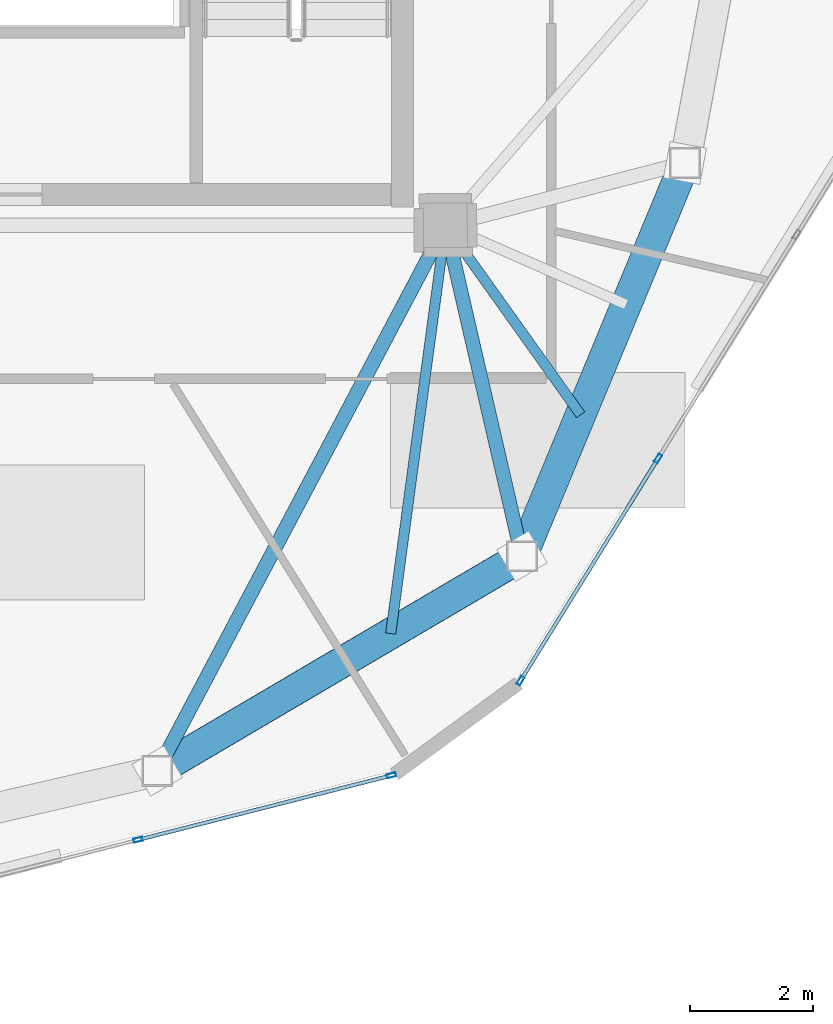
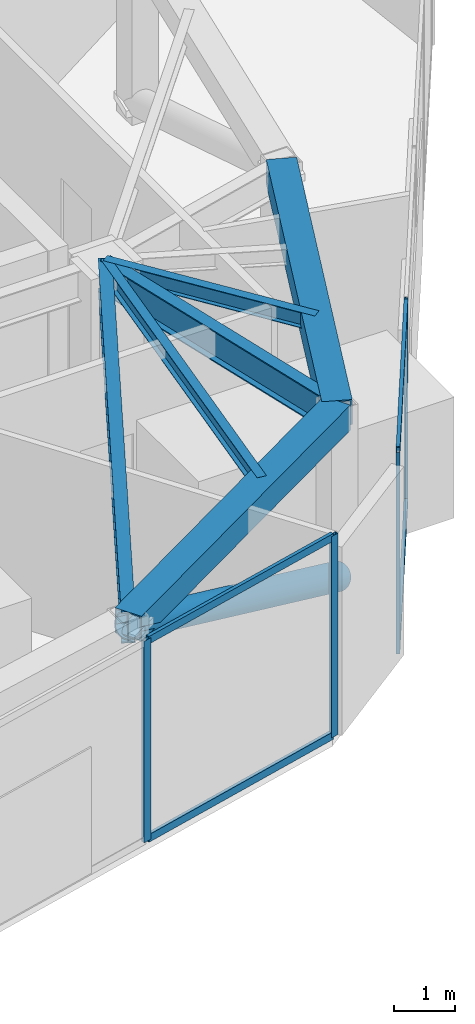
# One storey, part 7 of 21: 9 members, 6 beams, 2 elements without a shape of their own.
"""IFC4 building model written with IfcOpenShell, lengths in metres."""

from ifc_helpers import new_model, si_unit, direction, frame, origin, origin_2d, place, context, subcontext, project, spatial, hollow_rectangle, hollow_circle, i_section, extrude, source, transform, mapped, material, layer, layer_set, material_profile, profile_set, type_object, type_shapes, element, aggregate, save


model = new_model("IFC4")

# Units and contexts
model_context = context("Model", 3, precision=1e-05, world=origin(), true_north=direction((0.0, 1.0)))
body_context = subcontext(model_context, "Body", "Model", "MODEL_VIEW")
ifc_project = project(units=[si_unit("LENGTHUNIT", "METRE"), si_unit("AREAUNIT", "SQUARE_METRE"), si_unit("VOLUMEUNIT", "CUBIC_METRE"), si_unit("PLANEANGLEUNIT", "RADIAN"), si_unit("MASSUNIT", "GRAM", prefix="KILO")], contexts=[model_context])

# Site, building, storey
site_placement = place(None, origin())
site = spatial("IfcSite", under=ifc_project, at=site_placement, CompositionType="ELEMENT")
building_placement = place(site_placement, origin())
building = spatial("IfcBuilding", under=site, at=building_placement, Name="Talar Marvaseh", CompositionType="ELEMENT")
storey_placement = place(building_placement, frame((0.0, 0.0, 300.0)))
storey = spatial("IfcBuildingStorey", under=building, at=storey_placement, Name="L80", CompositionType="ELEMENT", Elevation=300.0)

# Beams
ifc_material_1 = material(Name="Steel S460", Category="steel")
ifc_material_profile_1 = material_profile(ifc_material_1, hollow_rectangle(XDim=0.5, YDim=0.5, WallThickness=0.02490234375, at=origin_2d()), Name="BOX500x500x25")
ifc_profile_set_1 = profile_set([ifc_material_profile_1], Name="Steel S460")
beam_type_1 = type_object("IfcBeamType", Name="Crown Frame Top Ring Beam BOX500x500x25", PredefinedType="BEAM", material=ifc_profile_set_1)
beam_1_placement = place(storey_placement, frame((37.197021484375, 26.513916015625, 3.489990234375), z_axis=(-0.382798740112, -0.923831762048, 0.0), x_axis=(0.923831762048, -0.382798740112, 0.0)))
element("IfcBeam", 1, at=beam_1_placement, inside=storey, type_object=beam_type_1, Name="L80 Crown Frame Top Ring Beam BOX500x500x25", PredefinedType="BEAM", context=body_context, shape_type="SweptSolid", body=[
    extrude(hollow_rectangle(XDim=0.5, YDim=0.5, WallThickness=0.02490234375, at=origin_2d()), origin(), (0.0, 0.0, 1.0), 6.9306640625),
])
beam_2_placement = place(storey_placement, frame((34.5439453125, 20.111083984375, 3.489990234375), z_axis=(-0.861894136287, -0.507088254482, 0.0), x_axis=(0.507088254482, -0.861894136287, 0.0)))
element("IfcBeam", 2, at=beam_2_placement, inside=storey, type_object=beam_type_1, Name="L80 Crown Frame Top Ring Beam BOX500x500x25", PredefinedType="BEAM", context=body_context, shape_type="SweptSolid", body=[
    extrude(hollow_rectangle(XDim=0.5, YDim=0.5, WallThickness=0.02490234375, at=origin_2d()), origin(), (0.0, 0.0, 1.0), 6.890625),
])
ifc_material_2 = material(Name="Steel S355", Category="steel")
ifc_material_profile_2 = material_profile(ifc_material_2, i_section(OverallWidth=0.166015625, OverallDepth=0.31298828125, WebThickness=0.006591796875, FlangeThickness=0.01123046875, at=origin_2d()), Name="W310x45")
ifc_profile_set_2 = profile_set([ifc_material_profile_2], Name="Steel S355")
beam_type_2 = type_object("IfcBeamType", Name="Zone 3 Secondary Floor Joist W310x45", PredefinedType="JOIST", material=ifc_profile_set_2)
beam_3_placement = place(storey_placement, frame((35.4990234375, 22.416015625, 3.58349609375), z_axis=(-0.580561197682, 0.814216614757, 0.0), x_axis=(-0.814216614757, -0.580561197682, 0.0)))
element("IfcBeam", 3, at=beam_3_placement, inside=storey, type_object=beam_type_2, Name="L80 Zone 3 Secondary Floor Joist W310x45", PredefinedType="JOIST", context=body_context, shape_type="SweptSolid", body=[
    extrude(i_section(OverallWidth=0.166015625, OverallDepth=0.31298828125, WebThickness=0.006591796875, FlangeThickness=0.01123046875, at=origin_2d()), origin(), (0.0, 0.0, 1.0), 3.78759765625),
])
beam_4_placement = place(storey_placement, frame((32.406005859375, 18.853271484375, 3.58349609375), z_axis=(0.133308183872, 0.991074632968, 0.0), x_axis=(-0.991074632968, 0.133308183872, 0.0)))
element("IfcBeam", 4, at=beam_4_placement, inside=storey, type_object=beam_type_2, Name="L80 Zone 3 Secondary Floor Joist W310x45", PredefinedType="JOIST", context=body_context, shape_type="SweptSolid", body=[
    extrude(i_section(OverallWidth=0.166015625, OverallDepth=0.31298828125, WebThickness=0.006591796875, FlangeThickness=0.01123046875, at=origin_2d()), origin(), (0.0, 0.0, 1.0), 6.70654296875),
])
ifc_material_profile_3 = material_profile(ifc_material_2, i_section(OverallWidth=0.22998046875, OverallDepth=0.616943359375, WebThickness=0.01318359375, FlangeThickness=0.022216796875, at=origin_2d()), Name="W610x140")
ifc_profile_set_3 = profile_set([ifc_material_profile_3], Name="Steel S355")
beam_type_3 = type_object("IfcBeamType", Name="Zone 4 Radial Floor Girder W610x140", PredefinedType="BEAM", material=ifc_profile_set_3)
beam_5_placement = place(storey_placement, frame((34.5439453125, 20.111083984375, 3.431396484375), z_axis=(-0.22491108979, 0.974379290466, 0.0), x_axis=(-0.974379290466, -0.22491108979, 0.0)))
element("IfcBeam", 5, at=beam_5_placement, inside=storey, type_object=beam_type_3, Name="L80 Zone 4 Radial Floor Girder W610x140", PredefinedType="BEAM", context=body_context, shape_type="SweptSolid", body=[
    extrude(i_section(OverallWidth=0.22998046875, OverallDepth=0.616943359375, WebThickness=0.01318359375, FlangeThickness=0.022216796875, at=origin_2d()), origin(), (0.0, 0.0, 1.0), 5.530517578125),
])
beam_6_placement = place(storey_placement, frame((28.60498046875, 16.616943359375, 3.431396484375), z_axis=(0.467286976471, 0.884105695955, 0.0), x_axis=(-0.884105695955, 0.467286976471, 0.0)))
element("IfcBeam", 6, at=beam_6_placement, inside=storey, type_object=beam_type_3, Name="L80 Zone 4 Radial Floor Girder W610x140", PredefinedType="BEAM", context=body_context, shape_type="SweptSolid", body=[
    extrude(i_section(OverallWidth=0.22998046875, OverallDepth=0.616943359375, WebThickness=0.01318359375, FlangeThickness=0.022216796875, at=origin_2d()), origin(), (0.0, 0.0, 1.0), 10.047607421875),
])

# Member
ifc_material_profile_4 = material_profile(ifc_material_1, hollow_circle(Radius=0.25390625, WallThickness=0.02001953125, at=origin_2d()), Name="CHS508x20")
ifc_profile_set_4 = profile_set([ifc_material_profile_4], Name="Steel S460")
member_type_1 = type_object("IfcMemberType", Name="Crown Frame Diagonal Brace CHS508x20", PredefinedType="BRACE", material=ifc_profile_set_4)
shared_shape_1 = source(origin(), body_context, "Body", "SweptSolid", [
    extrude(hollow_circle(Radius=0.25390625, WallThickness=0.02001953125, at=origin_2d()), origin(), (0.0, 0.0, 1.0), 7.6142578125),
])
type_shapes(member_type_1, [shared_shape_1])
member_1_placement = place(storey_placement, frame((34.5439453125, 20.111083984375, 0.25), z_axis=(-0.779973177808, -0.458890739159, 0.425512786429), x_axis=(0.507088254482, -0.861894136287, 0.0)))
element("IfcMember", 7, at=member_1_placement, inside=storey, type_object=member_type_1, Name="L80 Crown Frame Diagonal Brace 9", PredefinedType="BRACE", context=body_context, shape_type="MappedRepresentation", body=[
    mapped(shared_shape_1, transform((0.0, 0.0, 0.0), x_axis=(1.0, 0.0, 0.0), y_axis=(0.0, 1.0, 0.0), z_axis=(0.0, 0.0, 1.0), scale=1.0)),
])

# Curtain wall, members
ifc_material_3 = material(Name="Architectural Aluminium", Category="aluminium")
ifc_layer = layer(ifc_material_3, 0.2099609375)
ifc_layer_set = layer_set([ifc_layer], Name="Architectural Aluminium")
curtain_wall_type = type_object("IfcCurtainWallType", Name="Crown Plant Acoustic Spandrel Curtain Wall", PredefinedType="NOTDEFINED", material=ifc_layer_set)
curtain_wall_1_placement = place(storey_placement, origin())
curtain_wall_1 = element("IfcCurtainWall", 8, at=curtain_wall_1_placement, inside=storey, type_object=curtain_wall_type, Name="L80 Crown Plant Acoustic Spandrel Curtain Wall", PredefinedType="NOTDEFINED")
ifc_material_profile_5 = material_profile(ifc_material_3, hollow_rectangle(XDim=0.06494140625, YDim=0.14990234375, WallThickness=0.00390625, at=origin_2d()), Name="RHS150x65x4")
ifc_profile_set_5 = profile_set([ifc_material_profile_5], Name="Architectural Aluminium")
member_type_2 = type_object("IfcMemberType", Name="Unitised Curtain Wall Slim Transom RHS150x65x4", PredefinedType="USERDEFINED", material=ifc_profile_set_5)
shared_shape_2 = source(origin(), body_context, "Body", "SweptSolid", [
    extrude(hollow_rectangle(XDim=0.06494140625, YDim=0.14990234375, WallThickness=0.00390625, at=origin_2d()), origin(), (0.0, 0.0, 1.0), 4.188720703125),
])
type_shapes(member_type_2, [shared_shape_2])
member_2_placement = place(storey_placement, frame((36.74169921875, 21.67431640625, 0.032470703125), z_axis=(-0.526326522178, -0.850282536603, 0.0), x_axis=(0.850282536603, -0.526326522178, 0.0)))
member_2 = element("IfcMember", 9, at=member_2_placement, type_object=member_type_2, Name="CW-CRN transom 4.1", ObjectType="TRANSOM", PredefinedType="USERDEFINED", context=body_context, shape_type="MappedRepresentation", body=[
    mapped(shared_shape_2, transform((0.0, 0.0, 0.0), x_axis=(1.0, 0.0, 0.0), y_axis=(0.0, 1.0, 0.0), z_axis=(0.0, 0.0, 1.0), scale=1.0)),
])
member_3_placement = place(storey_placement, frame((36.74169921875, 21.67431640625, 3.967529296875), z_axis=(-0.526326522178, -0.850282536603, 0.0), x_axis=(0.850282536603, -0.526326522178, 0.0)))
member_3 = element("IfcMember", 10, at=member_3_placement, type_object=member_type_2, Name="CW-CRN transom 4.2", ObjectType="TRANSOM", PredefinedType="USERDEFINED", context=body_context, shape_type="MappedRepresentation", body=[
    mapped(shared_shape_2, transform((0.0, 0.0, 0.0), x_axis=(1.0, 0.0, 0.0), y_axis=(0.0, 1.0, 0.0), z_axis=(0.0, 0.0, 1.0), scale=1.0)),
])

curtain_wall_2_placement = place(storey_placement, origin())
curtain_wall_2 = element("IfcCurtainWall", 11, at=curtain_wall_2_placement, inside=storey, type_object=curtain_wall_type, Name="L80 Crown Plant Acoustic Spandrel Curtain Wall", PredefinedType="NOTDEFINED")
member_4_placement = place(storey_placement, frame((32.385498046875, 16.53515625, 0.032470703125), z_axis=(-0.969188816436, -0.246318976321, 0.0), x_axis=(0.246318976321, -0.969188816436, 0.0)))
member_4 = element("IfcMember", 12, at=member_4_placement, type_object=member_type_2, Name="CW-CRN transom 1.1", ObjectType="TRANSOM", PredefinedType="USERDEFINED", context=body_context, shape_type="MappedRepresentation", body=[
    mapped(shared_shape_2, transform((0.0, 0.0, 0.0), x_axis=(1.0, 0.0, 0.0), y_axis=(0.0, 1.0, 0.0), z_axis=(0.0, 0.0, 1.0), scale=1.0)),
])
member_5_placement = place(storey_placement, frame((32.385498046875, 16.53515625, 3.967529296875), z_axis=(-0.969188816436, -0.246318976321, 0.0), x_axis=(0.246318976321, -0.969188816436, 0.0)))
member_5 = element("IfcMember", 13, at=member_5_placement, type_object=member_type_2, Name="CW-CRN transom 1.2", ObjectType="TRANSOM", PredefinedType="USERDEFINED", context=body_context, shape_type="MappedRepresentation", body=[
    mapped(shared_shape_2, transform((0.0, 0.0, 0.0), x_axis=(1.0, 0.0, 0.0), y_axis=(0.0, 1.0, 0.0), z_axis=(0.0, 0.0, 1.0), scale=1.0)),
])

# Member
ifc_material_profile_6 = material_profile(ifc_material_3, hollow_rectangle(XDim=0.06494140625, YDim=0.14990234375, WallThickness=0.00390625, at=origin_2d()), Name="RHS150x65x4")
ifc_profile_set_6 = profile_set([ifc_material_profile_6], Name="Architectural Aluminium")
member_type_3 = type_object("IfcMemberType", Name="Unitised Curtain Wall Slim Mullion RHS150x65x4", PredefinedType="MULLION", material=ifc_profile_set_6)
shared_shape_3 = source(origin(), body_context, "Body", "SweptSolid", [
    extrude(hollow_rectangle(XDim=0.06494140625, YDim=0.14990234375, WallThickness=0.00390625, at=origin_2d()), origin(), (0.0, 0.0, 1.0), 4.0),
])
type_shapes(member_type_3, [shared_shape_3])
member_6_placement = place(storey_placement, frame((36.7587890625, 21.701904296875, 0.0), z_axis=(0.0, 0.0, 1.0), x_axis=(0.850268129899, -0.526349795552, 0.0)))
member_6 = element("IfcMember", 14, at=member_6_placement, type_object=member_type_3, Name="CW-CRN mullion 4", PredefinedType="MULLION", context=body_context, shape_type="MappedRepresentation", body=[
    mapped(shared_shape_3, transform((0.0, 0.0, 0.0), x_axis=(1.0, 0.0, 0.0), y_axis=(0.0, 1.0, 0.0), z_axis=(0.0, 0.0, 1.0), scale=1.0)),
])

member_7_placement = place(storey_placement, frame((34.52001953125, 18.085205078125, 0.0), z_axis=(0.0, 0.0, 1.0), x_axis=(0.850268129899, -0.526349795552, 0.0)))
member_7 = element("IfcMember", 15, at=member_7_placement, type_object=member_type_3, Name="CW-CRN mullion 5", PredefinedType="MULLION", context=body_context, shape_type="MappedRepresentation", body=[
    mapped(shared_shape_3, transform((0.0, 0.0, 0.0), x_axis=(1.0, 0.0, 0.0), y_axis=(0.0, 1.0, 0.0), z_axis=(0.0, 0.0, 1.0), scale=1.0)),
])

aggregate(curtain_wall_1, [member_6, member_7, member_2, member_3])

member_8_placement = place(storey_placement, frame((32.4169921875, 16.543212890625, 0.0), z_axis=(0.0, 0.0, 1.0), x_axis=(0.246303694064, -0.969192700287, 0.0)))
member_8 = element("IfcMember", 16, at=member_8_placement, type_object=member_type_3, Name="CW-CRN mullion 1", PredefinedType="MULLION", context=body_context, shape_type="MappedRepresentation", body=[
    mapped(shared_shape_3, transform((0.0, 0.0, 0.0), x_axis=(1.0, 0.0, 0.0), y_axis=(0.0, 1.0, 0.0), z_axis=(0.0, 0.0, 1.0), scale=1.0)),
])

member_9_placement = place(storey_placement, frame((28.29443359375, 15.495361328125, 0.0), z_axis=(0.0, 0.0, 1.0), x_axis=(0.246303694064, -0.969192700287, 0.0)))
member_9 = element("IfcMember", 17, at=member_9_placement, type_object=member_type_3, Name="CW-CRN mullion 2", PredefinedType="MULLION", context=body_context, shape_type="MappedRepresentation", body=[
    mapped(shared_shape_3, transform((0.0, 0.0, 0.0), x_axis=(1.0, 0.0, 0.0), y_axis=(0.0, 1.0, 0.0), z_axis=(0.0, 0.0, 1.0), scale=1.0)),
])

aggregate(curtain_wall_2, [member_8, member_9, member_4, member_5])

save(model, "model.ifc")
